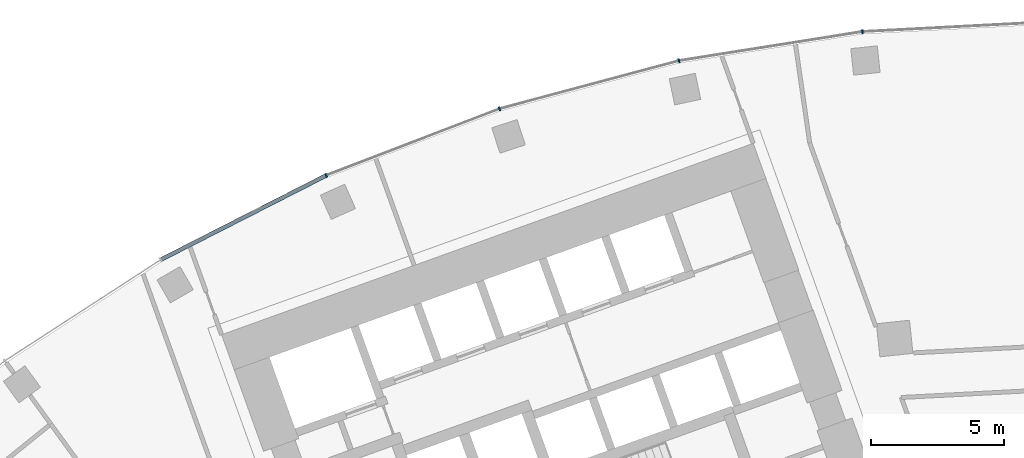
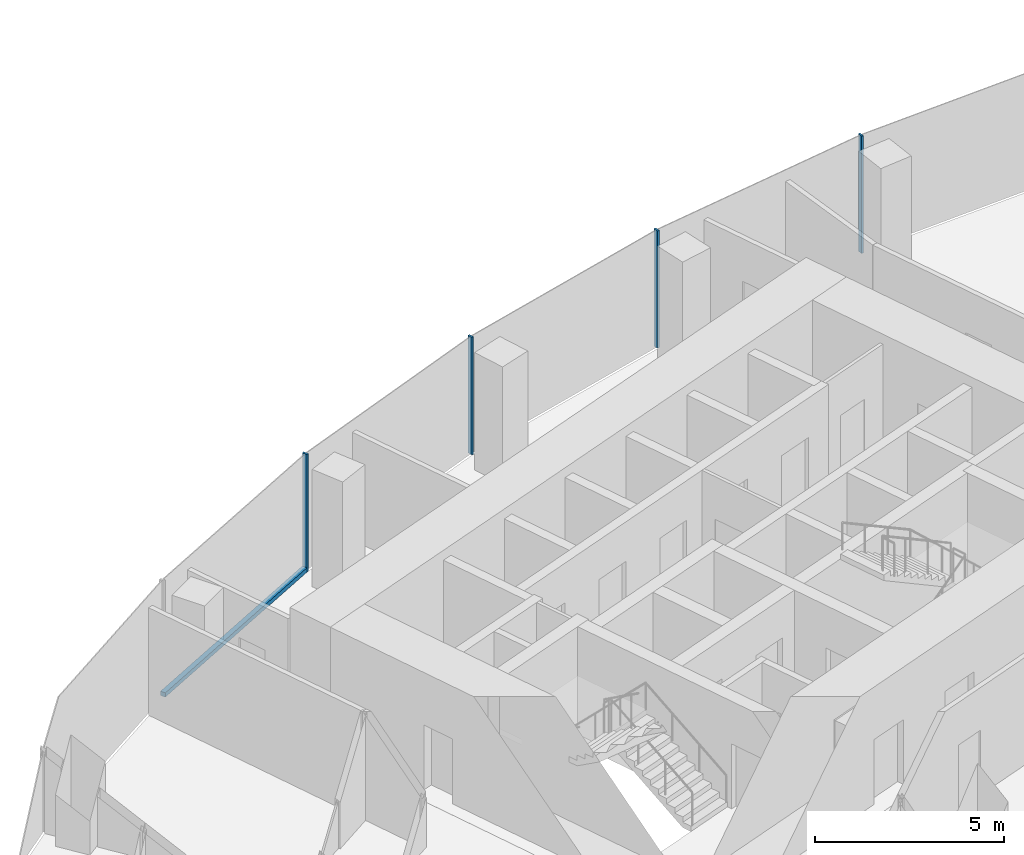
# One storey, part 6 of 20: 5 members, 1 element without a shape of its own.
"""IFC4 building model written with IfcOpenShell, lengths in metres."""

from ifc_helpers import new_model, si_unit, direction, frame, origin, origin_2d, place, context, subcontext, project, spatial, rectangle, extrude, material, layer, layer_set, material_profile, profile_set, type_object, element, aggregate, save


model = new_model("IFC4")

# Units and contexts
model_context = context("Model", 3, precision=1e-05, world=origin(), true_north=direction((0.0, 1.0)))
body_context = subcontext(model_context, "Body", "Model", "MODEL_VIEW")
ifc_project = project(units=[si_unit("LENGTHUNIT", "METRE"), si_unit("AREAUNIT", "SQUARE_METRE"), si_unit("VOLUMEUNIT", "CUBIC_METRE"), si_unit("PLANEANGLEUNIT", "RADIAN"), si_unit("MASSUNIT", "GRAM", prefix="KILO")], contexts=[model_context])

# Site, building, storey
site_placement = place(None, origin())
site = spatial("IfcSite", under=ifc_project, at=site_placement, CompositionType="ELEMENT")
building_placement = place(site_placement, origin())
building = spatial("IfcBuilding", under=site, at=building_placement, Name="Stone Belt Terrace Tower", CompositionType="ELEMENT")
storey_placement = place(building_placement, frame((0.0, 0.0, 147.800048828125)))
storey = spatial("IfcBuildingStorey", under=building, at=storey_placement, Name="L35", CompositionType="ELEMENT", Elevation=147.800048828125)

# Curtain wall, members
ifc_material = material(Name="Aluminium 6063-T6 anodised frame", Category="aluminium")
ifc_layer = layer(ifc_material, 0.14990234375)
ifc_layer_set = layer_set([ifc_layer], Name="CW-A unitised convex-face curtain wall")
curtain_wall_type = type_object("IfcCurtainWallType", Name="CW-A unitised convex-face curtain wall", PredefinedType="NOTDEFINED", material=ifc_layer_set)
curtain_wall_placement = place(storey_placement, origin())
curtain_wall = element("IfcCurtainWall", 1, at=curtain_wall_placement, inside=storey, type_object=curtain_wall_type, Name="CW-A convex face L35", PredefinedType="NOTDEFINED")
ifc_material_profile_1 = material_profile(ifc_material, rectangle(XDim=0.14990234375, YDim=0.06005859375, at=origin_2d()), Name="Aluminium 6063-T6 60x150")
ifc_profile_set_1 = profile_set([ifc_material_profile_1], Name="Aluminium 6063-T6 anodised frame")
member_type_1 = type_object("IfcMemberType", Name="CW-A mullion 60 x 150", PredefinedType="MULLION", material=ifc_profile_set_1)
member_1_placement = place(storey_placement, frame((-6.958984375, 66.21044921875, 0.0), z_axis=(0.0, 0.0, 1.0), x_axis=(0.104528463268, -0.994521895368, 0.0)))
member_1 = element("IfcMember", 2, at=member_1_placement, type_object=member_type_1, Name="CW-A mullion 10", PredefinedType="MULLION", context=body_context, shape_type="SweptSolid", body=[
    extrude(rectangle(XDim=0.14990234375, YDim=0.06005859375, at=origin_2d()), origin(), (0.0, 0.0, 1.0), 3.800048828125),
])
member_2_placement = place(storey_placement, frame((-13.841796875, 65.120361328125, 0.0), z_axis=(0.0, 0.0, 1.0), x_axis=(0.207911690818, -0.978147600734, 0.0)))
member_2 = element("IfcMember", 3, at=member_2_placement, type_object=member_type_1, Name="CW-A mullion 11", PredefinedType="MULLION", context=body_context, shape_type="SweptSolid", body=[
    extrude(rectangle(XDim=0.14990234375, YDim=0.06005859375, at=origin_2d()), origin(), (0.0, 0.0, 1.0), 3.800048828125),
])
member_3_placement = place(storey_placement, frame((-20.57275390625, 63.316650390625, 0.0), z_axis=(0.0, 0.0, 1.0), x_axis=(0.309016994375, -0.951056516295, 0.0)))
member_3 = element("IfcMember", 4, at=member_3_placement, type_object=member_type_1, Name="CW-A mullion 12", PredefinedType="MULLION", context=body_context, shape_type="SweptSolid", body=[
    extrude(rectangle(XDim=0.14990234375, YDim=0.06005859375, at=origin_2d()), origin(), (0.0, 0.0, 1.0), 3.800048828125),
])
member_4_placement = place(storey_placement, frame((-27.07861328125, 60.8193359375, 0.0), z_axis=(0.0, 0.0, 1.0), x_axis=(0.406736643076, -0.913545457643, 0.0)))
member_4 = element("IfcMember", 5, at=member_4_placement, type_object=member_type_1, Name="CW-A mullion 13", PredefinedType="MULLION", context=body_context, shape_type="SweptSolid", body=[
    extrude(rectangle(XDim=0.14990234375, YDim=0.06005859375, at=origin_2d()), origin(), (0.0, 0.0, 1.0), 3.800048828125),
])
ifc_material_profile_2 = material_profile(ifc_material, rectangle(XDim=0.14990234375, YDim=0.139892578125, at=origin_2d()), Name="Aluminium 6063-T6 150x140")
ifc_profile_set_2 = profile_set([ifc_material_profile_2], Name="Aluminium 6063-T6 anodised frame")
member_type_2 = type_object("IfcMemberType", Name="CW-A transom 140 x 150", PredefinedType="USERDEFINED", material=ifc_profile_set_2)
member_5_placement = place(storey_placement, frame((-27.108642578125, 60.803955078125, 0.070068359375), z_axis=(-0.891012226264, -0.453979308613, 0.0), x_axis=(0.453979308613, -0.891012226264, 0.0)))
member_5 = element("IfcMember", 6, at=member_5_placement, type_object=member_type_2, Name="CW-A transom 13.1", ObjectType="TRANSOM", PredefinedType="USERDEFINED", context=body_context, shape_type="SweptSolid", body=[
    extrude(rectangle(XDim=0.14990234375, YDim=0.139892578125, at=origin_2d()), origin(), (0.0, 0.0, 1.0), 6.90087890625),
])
aggregate(curtain_wall, [member_1, member_2, member_3, member_4, member_5])

save(model, "model.ifc")
